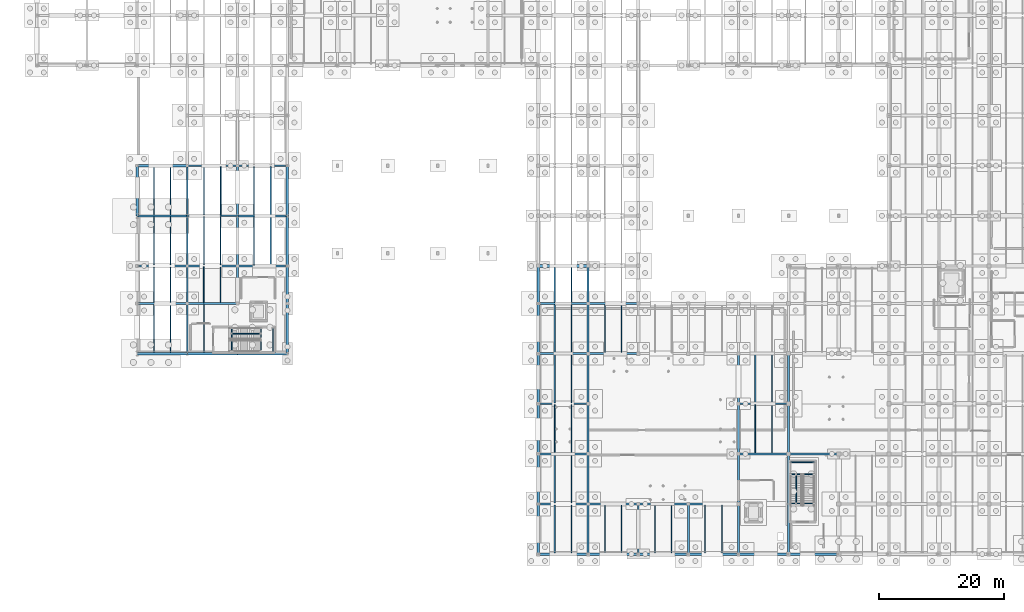
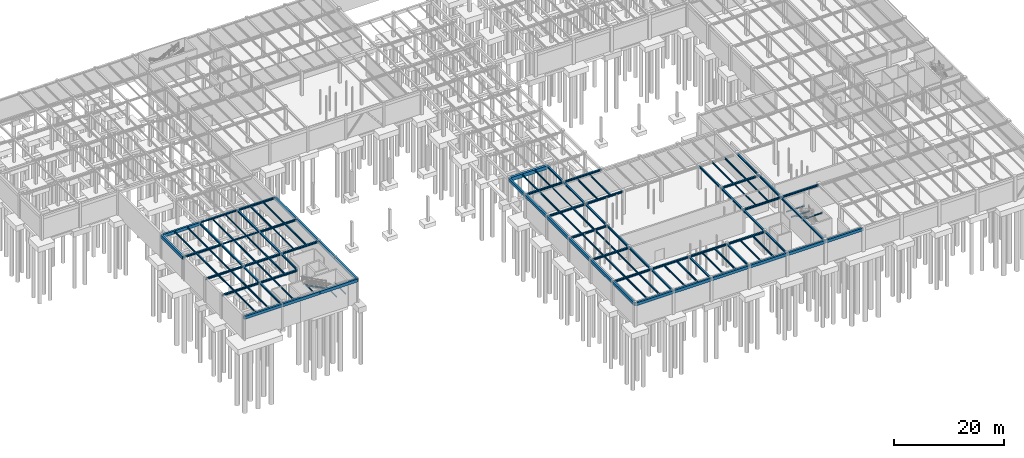
# One storey, part 24 of 71: 117 beams, 2 members.
"""IFC4 building model written with IfcOpenShell, lengths in metres."""

from ifc_helpers import new_model, si_unit, direction, frame, origin, origin_2d, place, context, subcontext, project, spatial, rectangle, hollow_rectangle, i_section, extrude, material, material_profile, profile_set, type_object, element, save


model = new_model("IFC4")

# Units and contexts
model_context = context("Model", 3, precision=1e-05, world=origin(), true_north=direction((0.0, 1.0)))
body_context = subcontext(model_context, "Body", "Model", "MODEL_VIEW")
ifc_project = project(units=[si_unit("LENGTHUNIT", "METRE"), si_unit("AREAUNIT", "SQUARE_METRE"), si_unit("VOLUMEUNIT", "CUBIC_METRE"), si_unit("PLANEANGLEUNIT", "RADIAN"), si_unit("MASSUNIT", "GRAM", prefix="KILO")], contexts=[model_context])

# Site, building, storey
site_placement = place(None, origin())
site = spatial("IfcSite", under=ifc_project, at=site_placement, CompositionType="ELEMENT")
building_placement = place(site_placement, origin())
building = spatial("IfcBuilding", under=site, at=building_placement, Name="Sundkrona Museum", CompositionType="ELEMENT")
storey_placement = place(building_placement, frame((0.0, 0.0, -5.39990234375)))
storey = spatial("IfcBuildingStorey", under=building, at=storey_placement, Name="B1", CompositionType="ELEMENT", Elevation=-5.39990234375)

# Beams
ifc_material_1 = material(Name="Steel S355J2", Category="steel")
ifc_material_profile_1 = material_profile(ifc_material_1, i_section(OverallWidth=0.300048828125, OverallDepth=0.2900390625, WebThickness=0.008544921875, FlangeThickness=0.013916015625, FilletRadius=0.027099609375, at=origin_2d()), Name="HEA 300")
ifc_profile_set_1 = profile_set([ifc_material_profile_1], Name="Steel S355J2")
beam_type_1 = type_object("IfcBeamType", Name="B-HEA300", PredefinedType="BEAM", material=ifc_profile_set_1)
beam_1_placement = place(storey_placement, frame((24.0, 62.0, 4.994873046875), z_axis=(1.0, 0.0, 0.0), x_axis=(0.0, 1.0, 0.0)))
element("IfcBeam", 1, at=beam_1_placement, inside=storey, type_object=beam_type_1, Name="B1 Girder X-0081", PredefinedType="BEAM", context=body_context, shape_type="SweptSolid", body=[
    extrude(i_section(OverallWidth=0.300048828125, OverallDepth=0.2900390625, WebThickness=0.008544921875, FlangeThickness=0.013916015625, FilletRadius=0.027099609375, at=origin_2d()), origin(), (0.0, 0.0, 1.0), 8.0),
])
ifc_material_profile_2 = material_profile(ifc_material_1, i_section(OverallWidth=0.300048828125, OverallDepth=0.39990234375, WebThickness=0.013427734375, FlangeThickness=0.02392578125, FilletRadius=0.027099609375, at=origin_2d()), Name="HEB 400")
ifc_profile_set_2 = profile_set([ifc_material_profile_2], Name="Steel S355J2")
beam_type_2 = type_object("IfcBeamType", Name="B-HEB400", PredefinedType="BEAM", material=ifc_profile_set_2)
for number, where, z_axis, x_axis, name in (
    (2, (80.0, 8.0, 4.93994140625), (1.0, 0.0, 0.0), (0.0, 1.0, 0.0), "B1 Girder X-0012"),
    (3, (88.0, 8.0, 4.93994140625), (1.0, 0.0, 0.0), (0.0, 1.0, 0.0), "B1 Girder X-0013"),
    (4, (96.0, 8.0, 4.93994140625), (1.0, 0.0, 0.0), (0.0, 1.0, 0.0), "B1 Girder X-0014"),
    (5, (104.0, 8.0, 4.93994140625), (1.0, 0.0, 0.0), (0.0, 1.0, 0.0), "B1 Girder X-0015"),
    (6, (80.0, 16.0, 4.93994140625), (1.0, 0.0, 0.0), (0.0, 1.0, 0.0), "B1 Girder X-0021"),
    (7, (112.0, 16.0, 4.919921875), (1.0, 0.0, 0.0), (0.0, 1.0, 0.0), "B1 Girder X-0022"),
    (8, (120.0, 16.0, 4.919921875), (1.0, 0.0, 0.0), (0.0, 1.0, 0.0), "B1 Girder X-0023"),
    (9, (80.0, 24.0, 4.93994140625), (1.0, 0.0, 0.0), (0.0, 1.0, 0.0), "B1 Girder X-0029"),
    (10, (112.0, 24.0, 4.919921875), (1.0, 0.0, 0.0), (0.0, 1.0, 0.0), "B1 Girder X-0030"),
    (11, (80.0, 32.0, 4.93994140625), (1.0, 0.0, 0.0), (0.0, 1.0, 0.0), "B1 Girder X-0038"),
    (12, (88.0, 32.0, 4.93994140625), (1.0, 0.0, 0.0), (0.0, 1.0, 0.0), "B1 Girder X-0039"),
    (13, (16.0, 40.0, 4.93994140625), (1.0, 0.0, 0.0), (0.0, 1.0, 0.0), "B1 Girder X-0049"),
    (14, (24.0, 40.0, 4.93994140625), (1.0, 0.0, 0.0), (0.0, 1.0, 0.0), "B1 Girder X-0050"),
    (15, (80.0, 40.0, 4.93994140625), (1.0, 0.0, 0.0), (0.0, 1.0, 0.0), "B1 Girder X-0051"),
    (16, (88.0, 40.0, 4.93994140625), (1.0, 0.0, 0.0), (0.0, 1.0, 0.0), "B1 Girder X-0052"),
    (17, (16.0, 46.0, 4.93994140625), (1.0, 0.0, 0.0), (0.0, 1.0, 0.0), "B1 Girder X-0060"),
    (18, (24.0, 46.0, 4.93994140625), (1.0, 0.0, 0.0), (0.0, 1.0, 0.0), "B1 Girder X-0061"),
    (19, (32.0, 46.0, 4.9599609375), (1.0, 0.0, 0.0), (0.0, 1.0, 0.0), "B1 Girder X-0062"),
    (20, (16.0, 54.0, 4.93994140625), (1.0, 0.0, 0.0), (0.0, 1.0, 0.0), "B1 Girder X-0071"),
    (21, (32.0, 54.0, 4.9599609375), (1.0, 0.0, 0.0), (0.0, 1.0, 0.0), "B1 Girder X-0073"),
    (22, (32.0, 62.0, 4.9599609375), (1.0, 0.0, 0.0), (0.0, 1.0, 0.0), "B1 Girder X-0082"),
    (23, (24.0, 32.0, 4.93994140625), (0.0, 1.0, 0.0), (-1.0, 0.0, 0.0), "B1 Girder Y-0227"),
):
    element("IfcBeam", number, at=place(storey_placement, frame(where, z_axis=z_axis, x_axis=x_axis)), inside=storey, type_object=beam_type_2, Name=name, PredefinedType="BEAM", context=body_context, shape_type="SweptSolid", body=[
        extrude(i_section(OverallWidth=0.300048828125, OverallDepth=0.39990234375, WebThickness=0.013427734375, FlangeThickness=0.02392578125, FilletRadius=0.027099609375, at=origin_2d()), origin(), (0.0, 0.0, 1.0), 8.0),
    ])
beam_2_placement = place(storey_placement, frame((24.0, 40.0, 4.93994140625), z_axis=(0.0, 1.0, 0.0), x_axis=(-1.0, 0.0, 0.0)))
element("IfcBeam", 24, at=beam_2_placement, inside=storey, type_object=beam_type_2, Name="B1 Girder Y-0228", PredefinedType="BEAM", context=body_context, shape_type="SweptSolid", body=[
    extrude(i_section(OverallWidth=0.300048828125, OverallDepth=0.39990234375, WebThickness=0.013427734375, FlangeThickness=0.02392578125, FilletRadius=0.027099609375, at=origin_2d()), origin(), (0.0, 0.0, 1.0), 6.0),
])
for number, where, z_axis, x_axis, name in (
    (25, (24.0, 46.0, 4.93994140625), (0.0, 1.0, 0.0), (-1.0, 0.0, 0.0), "B1 Girder Y-0229"),
    (26, (24.0, 54.0, 4.93994140625), (0.0, 1.0, 0.0), (-1.0, 0.0, 0.0), "B1 Girder Y-0230"),
):
    element("IfcBeam", number, at=place(storey_placement, frame(where, z_axis=z_axis, x_axis=x_axis)), inside=storey, type_object=beam_type_2, Name=name, PredefinedType="BEAM", context=body_context, shape_type="SweptSolid", body=[
        extrude(i_section(OverallWidth=0.300048828125, OverallDepth=0.39990234375, WebThickness=0.013427734375, FlangeThickness=0.02392578125, FilletRadius=0.027099609375, at=origin_2d()), origin(), (0.0, 0.0, 1.0), 8.0),
    ])
beam_3_placement = place(storey_placement, frame((32.0, 40.0, 4.9599609375), z_axis=(0.0, 1.0, 0.0), x_axis=(-1.0, 0.0, 0.0)))
element("IfcBeam", 27, at=beam_3_placement, inside=storey, type_object=beam_type_2, Name="B1 Girder Y-0238", PredefinedType="BEAM", context=body_context, shape_type="SweptSolid", body=[
    extrude(i_section(OverallWidth=0.300048828125, OverallDepth=0.39990234375, WebThickness=0.013427734375, FlangeThickness=0.02392578125, FilletRadius=0.027099609375, at=origin_2d()), origin(), (0.0, 0.0, 1.0), 6.0),
])
for number, where, z_axis, x_axis, name in (
    (28, (32.0, 46.0, 4.9599609375), (0.0, 1.0, 0.0), (-1.0, 0.0, 0.0), "B1 Girder Y-0239"),
    (29, (32.0, 54.0, 4.9599609375), (0.0, 1.0, 0.0), (-1.0, 0.0, 0.0), "B1 Girder Y-0240"),
    (30, (88.0, 0.0, 4.93994140625), (0.0, 1.0, 0.0), (-1.0, 0.0, 0.0), "B1 Girder Y-0291"),
    (31, (88.0, 8.0, 4.93994140625), (0.0, 1.0, 0.0), (-1.0, 0.0, 0.0), "B1 Girder Y-0292"),
    (32, (88.0, 16.0, 4.93994140625), (0.0, 1.0, 0.0), (-1.0, 0.0, 0.0), "B1 Girder Y-0293"),
    (33, (88.0, 24.0, 4.93994140625), (0.0, 1.0, 0.0), (-1.0, 0.0, 0.0), "B1 Girder Y-0294"),
    (34, (88.0, 32.0, 4.93994140625), (0.0, 1.0, 0.0), (-1.0, 0.0, 0.0), "B1 Girder Y-0295"),
):
    element("IfcBeam", number, at=place(storey_placement, frame(where, z_axis=z_axis, x_axis=x_axis)), inside=storey, type_object=beam_type_2, Name=name, PredefinedType="BEAM", context=body_context, shape_type="SweptSolid", body=[
        extrude(i_section(OverallWidth=0.300048828125, OverallDepth=0.39990234375, WebThickness=0.013427734375, FlangeThickness=0.02392578125, FilletRadius=0.027099609375, at=origin_2d()), origin(), (0.0, 0.0, 1.0), 8.0),
    ])
beam_4_placement = place(storey_placement, frame((88.0, 40.0, 4.93994140625), z_axis=(0.0, 1.0, 0.0), x_axis=(-1.0, 0.0, 0.0)))
element("IfcBeam", 35, at=beam_4_placement, inside=storey, type_object=beam_type_2, Name="B1 Girder Y-0296", PredefinedType="BEAM", context=body_context, shape_type="SweptSolid", body=[
    extrude(i_section(OverallWidth=0.300048828125, OverallDepth=0.39990234375, WebThickness=0.013427734375, FlangeThickness=0.02392578125, FilletRadius=0.027099609375, at=origin_2d()), origin(), (0.0, 0.0, 1.0), 6.0),
])
for number, where, z_axis, x_axis, name in (
    (36, (96.0, 0.0, 4.93994140625), (0.0, 1.0, 0.0), (-1.0, 0.0, 0.0), "B1 Girder Y-0304"),
    (37, (104.0, 0.0, 4.93994140625), (0.0, 1.0, 0.0), (-1.0, 0.0, 0.0), "B1 Girder Y-0314"),
    (38, (112.0, 0.0, 4.93994140625), (0.0, 1.0, 0.0), (-1.0, 0.0, 0.0), "B1 Girder Y-0321"),
    (39, (112.0, 8.0, 4.93994140625), (0.0, 1.0, 0.0), (-1.0, 0.0, 0.0), "B1 Girder Y-0322"),
    (40, (112.0, 16.0, 4.93994140625), (0.0, 1.0, 0.0), (-1.0, 0.0, 0.0), "B1 Girder Y-0323"),
    (41, (112.0, 24.0, 4.93994140625), (0.0, 1.0, 0.0), (-1.0, 0.0, 0.0), "B1 Girder Y-0324"),
    (42, (120.0, 0.0, 4.919921875), (0.0, 1.0, 0.0), (-1.0, 0.0, 0.0), "B1 Girder Y-0331"),
    (43, (120.0, 8.0, 4.919921875), (0.0, 1.0, 0.0), (-1.0, 0.0, 0.0), "B1 Girder Y-0332"),
    (44, (120.0, 16.0, 4.919921875), (0.0, 1.0, 0.0), (-1.0, 0.0, 0.0), "B1 Girder Y-0333"),
    (45, (120.0, 24.0, 4.919921875), (0.0, 1.0, 0.0), (-1.0, 0.0, 0.0), "B1 Girder Y-0334"),
):
    element("IfcBeam", number, at=place(storey_placement, frame(where, z_axis=z_axis, x_axis=x_axis)), inside=storey, type_object=beam_type_2, Name=name, PredefinedType="BEAM", context=body_context, shape_type="SweptSolid", body=[
        extrude(i_section(OverallWidth=0.300048828125, OverallDepth=0.39990234375, WebThickness=0.013427734375, FlangeThickness=0.02392578125, FilletRadius=0.027099609375, at=origin_2d()), origin(), (0.0, 0.0, 1.0), 8.0),
    ])
ifc_material_2 = material(Name="Concrete C40/50", Category="concrete")
ifc_material_profile_3 = material_profile(ifc_material_2, rectangle(XDim=0.39990234375, YDim=0.64990234375, at=origin_2d()), Name="RCB 400x650")
ifc_profile_set_3 = profile_set([ifc_material_profile_3], Name="Concrete C40/50")
beam_type_3 = type_object("IfcBeamType", Name="B-RC400", PredefinedType="BEAM", material=ifc_profile_set_3)
for number, where, z_axis, x_axis, name in (
    (46, (80.0, 0.0, 4.81494140625), (1.0, 0.0, 0.0), (0.0, 1.0, 0.0), "B1 Girder X-0001"),
    (47, (88.0, 0.0, 4.81494140625), (1.0, 0.0, 0.0), (0.0, 1.0, 0.0), "B1 Girder X-0002"),
    (48, (96.0, 0.0, 4.81494140625), (1.0, 0.0, 0.0), (0.0, 1.0, 0.0), "B1 Girder X-0003"),
    (49, (104.0, 0.0, 4.81494140625), (1.0, 0.0, 0.0), (0.0, 1.0, 0.0), "B1 Girder X-0004"),
    (50, (112.0, 0.0, 4.794921875), (1.0, 0.0, 0.0), (0.0, 1.0, 0.0), "B1 Girder X-0005"),
    (51, (120.0, 0.0, 4.794921875), (1.0, 0.0, 0.0), (0.0, 1.0, 0.0), "B1 Girder X-0006"),
    (52, (16.0, 32.0, 4.81494140625), (1.0, 0.0, 0.0), (0.0, 1.0, 0.0), "B1 Girder X-0035"),
    (53, (24.0, 32.0, 4.81494140625), (1.0, 0.0, 0.0), (0.0, 1.0, 0.0), "B1 Girder X-0036"),
    (54, (32.0, 32.0, 4.8349609375), (1.0, 0.0, 0.0), (0.0, 1.0, 0.0), "B1 Girder X-0037"),
    (55, (16.0, 62.0, 4.81494140625), (1.0, 0.0, 0.0), (0.0, 1.0, 0.0), "B1 Girder X-0080"),
    (56, (16.0, 54.0, 4.81494140625), (0.0, 1.0, 0.0), (-1.0, 0.0, 0.0), "B1 Girder Y-0221"),
    (57, (40.0, 32.0, 4.8349609375), (0.0, 1.0, 0.0), (-1.0, 0.0, 0.0), "B1 Girder Y-0248"),
):
    element("IfcBeam", number, at=place(storey_placement, frame(where, z_axis=z_axis, x_axis=x_axis)), inside=storey, type_object=beam_type_3, Name=name, PredefinedType="BEAM", context=body_context, shape_type="SweptSolid", body=[
        extrude(rectangle(XDim=0.39990234375, YDim=0.64990234375, at=origin_2d()), origin(), (0.0, 0.0, 1.0), 8.0),
    ])
beam_5_placement = place(storey_placement, frame((40.0, 40.0, 4.8349609375), z_axis=(0.0, 1.0, 0.0), x_axis=(-1.0, 0.0, 0.0)))
element("IfcBeam", 58, at=beam_5_placement, inside=storey, type_object=beam_type_3, Name="B1 Girder Y-0249", PredefinedType="BEAM", context=body_context, shape_type="SweptSolid", body=[
    extrude(rectangle(XDim=0.39990234375, YDim=0.64990234375, at=origin_2d()), origin(), (0.0, 0.0, 1.0), 6.0),
])
for number, where, z_axis, x_axis, name in (
    (59, (40.0, 46.0, 4.8349609375), (0.0, 1.0, 0.0), (-1.0, 0.0, 0.0), "B1 Girder Y-0250"),
    (60, (40.0, 54.0, 4.8349609375), (0.0, 1.0, 0.0), (-1.0, 0.0, 0.0), "B1 Girder Y-0251"),
    (61, (80.0, 0.0, 4.81494140625), (0.0, 1.0, 0.0), (-1.0, 0.0, 0.0), "B1 Girder Y-0276"),
    (62, (80.0, 8.0, 4.81494140625), (0.0, 1.0, 0.0), (-1.0, 0.0, 0.0), "B1 Girder Y-0277"),
    (63, (80.0, 16.0, 4.81494140625), (0.0, 1.0, 0.0), (-1.0, 0.0, 0.0), "B1 Girder Y-0278"),
    (64, (80.0, 24.0, 4.81494140625), (0.0, 1.0, 0.0), (-1.0, 0.0, 0.0), "B1 Girder Y-0279"),
    (65, (80.0, 32.0, 4.81494140625), (0.0, 1.0, 0.0), (-1.0, 0.0, 0.0), "B1 Girder Y-0280"),
):
    element("IfcBeam", number, at=place(storey_placement, frame(where, z_axis=z_axis, x_axis=x_axis)), inside=storey, type_object=beam_type_3, Name=name, PredefinedType="BEAM", context=body_context, shape_type="SweptSolid", body=[
        extrude(rectangle(XDim=0.39990234375, YDim=0.64990234375, at=origin_2d()), origin(), (0.0, 0.0, 1.0), 8.0),
    ])
beam_6_placement = place(storey_placement, frame((80.0, 40.0, 4.81494140625), z_axis=(0.0, 1.0, 0.0), x_axis=(-1.0, 0.0, 0.0)))
element("IfcBeam", 66, at=beam_6_placement, inside=storey, type_object=beam_type_3, Name="B1 Girder Y-0281", PredefinedType="BEAM", context=body_context, shape_type="SweptSolid", body=[
    extrude(rectangle(XDim=0.39990234375, YDim=0.64990234375, at=origin_2d()), origin(), (0.0, 0.0, 1.0), 6.0),
])
ifc_material_profile_4 = material_profile(ifc_material_2, rectangle(XDim=0.5, YDim=0.800048828125, at=origin_2d()), Name="RCB 500x800")
ifc_profile_set_4 = profile_set([ifc_material_profile_4], Name="Concrete C40/50")
beam_type_4 = type_object("IfcBeamType", Name="B-RC500", PredefinedType="BEAM", material=ifc_profile_set_4)
beam_7_placement = place(storey_placement, frame((80.0, 46.0, 4.739990234375), z_axis=(1.0, 0.0, 0.0), x_axis=(0.0, 1.0, 0.0)))
element("IfcBeam", 67, at=beam_7_placement, inside=storey, type_object=beam_type_4, Name="B1 Girder X-0063", PredefinedType="BEAM", context=body_context, shape_type="SweptSolid", body=[
    extrude(rectangle(XDim=0.5, YDim=0.800048828125, at=origin_2d()), origin(), (0.0, 0.0, 1.0), 8.0),
])
ifc_material_3 = material(Name="Steel S460M", Category="steel")
ifc_material_profile_5 = material_profile(ifc_material_3, hollow_rectangle(XDim=0.25, YDim=0.25, WallThickness=0.012451171875, at=origin_2d()), Name="SHS 250x250x12.5")
ifc_profile_set_5 = profile_set([ifc_material_profile_5], Name="Steel S460M")
beam_type_5 = type_object("IfcBeamType", Name="B-SHS250", PredefinedType="BEAM", material=ifc_profile_set_5)
beam_8_placement = place(storey_placement, frame((24.0, 54.0, 5.014892578125), z_axis=(1.0, 0.0, 0.0), x_axis=(0.0, 1.0, 0.0)))
element("IfcBeam", 68, at=beam_8_placement, inside=storey, type_object=beam_type_5, Name="B1 Girder X-0072", PredefinedType="BEAM", context=body_context, shape_type="SweptSolid", body=[
    extrude(hollow_rectangle(XDim=0.25, YDim=0.25, WallThickness=0.012451171875, at=origin_2d()), origin(), (0.0, 0.0, 1.0), 8.0),
])

# Members
ifc_material_profile_6 = material_profile(ifc_material_1, i_section(OverallWidth=0.135009765625, OverallDepth=0.27001953125, WebThickness=0.006591796875, FlangeThickness=0.01025390625, FilletRadius=0.014892578125, at=origin_2d()), Name="IPE 270")
ifc_profile_set_6 = profile_set([ifc_material_profile_6], Name="Steel S355J2")
member_type = type_object("IfcMemberType", Name="BR-IPE270", PredefinedType="BRACE", material=ifc_profile_set_6)
for number, where, z_axis, x_axis, name in (
    (69, (121.199951171875, 12.715087890625, 2.3798828125), (0.0, -0.884492571905, 0.466554273632), (1.0, 0.0, 0.0), "SRK-1 B1 ST-2 Flight 2 Inclined Carriage Raker"),
    (70, (35.715087890625, 35.199951171875, 2.3798828125), (-0.884492571905, 0.0, 0.466554273632), (0.0, -1.0, 0.0), "SRK-1 B1 ST-4 Flight 2 Inclined Carriage Raker"),
):
    element("IfcMember", number, at=place(storey_placement, frame(where, z_axis=z_axis, x_axis=x_axis)), inside=storey, type_object=member_type, Name=name, PredefinedType="BRACE", context=body_context, shape_type="SweptSolid", body=[
        extrude(i_section(OverallWidth=0.135009765625, OverallDepth=0.27001953125, WebThickness=0.006591796875, FlangeThickness=0.01025390625, FilletRadius=0.014892578125, at=origin_2d()), origin(), (0.0, 0.0, 1.0), 5.2177734375),
    ])

# Beams
ifc_material_profile_7 = material_profile(ifc_material_1, i_section(OverallWidth=0.10009765625, OverallDepth=0.199951171875, WebThickness=0.005615234375, FlangeThickness=0.008544921875, FilletRadius=0.011962890625, at=origin_2d()), Name="IPE 200")
ifc_profile_set_7 = profile_set([ifc_material_profile_7], Name="Steel S355J2")
beam_type_6 = type_object("IfcBeamType", Name="J-IPE200", PredefinedType="JOIST", material=ifc_profile_set_7)
for number, where, z_axis, x_axis, name in (
    (71, (34.666748046875, 46.14404296875, 5.059814453125), (0.0, 1.0, 0.0), (-1.0, 0.0, 0.0), "B1 Composite Joist 0040"),
    (72, (114.666748046875, 16.14404296875, 5.02001953125), (0.0, 1.0, 0.0), (-1.0, 0.0, 0.0), "B1 Composite Joist 0160"),
):
    element("IfcBeam", number, at=place(storey_placement, frame(where, z_axis=z_axis, x_axis=x_axis)), inside=storey, type_object=beam_type_6, Name=name, PredefinedType="JOIST", context=body_context, shape_type="SweptSolid", body=[
        extrude(i_section(OverallWidth=0.10009765625, OverallDepth=0.199951171875, WebThickness=0.005615234375, FlangeThickness=0.008544921875, FilletRadius=0.011962890625, at=origin_2d()), origin(), (0.0, 0.0, 1.0), 7.7119140625),
    ])
for number, where, z_axis, x_axis, name in (
    (73, (120.31005859375, 12.754638671875, 2.3798828125), (1.0, 0.0, 0.0), (0.0, 1.0, 0.0), "B1 ST-2 Mid-Landing Trimmer Beam 1A"),
    (74, (120.31005859375, 14.660400390625, 2.3798828125), (1.0, 0.0, 0.0), (0.0, 1.0, 0.0), "B1 ST-2 Mid-Landing Trimmer Beam 1B"),
    (75, (120.31005859375, 8.10009765625, 4.814208984375), (1.0, 0.0, 0.0), (0.0, 1.0, 0.0), "B1 ST-2 Flight 2 Arrival Header Beam"),
    (76, (35.754638671875, 32.31005859375, 2.3798828125), (0.0, 1.0, 0.0), (-1.0, 0.0, 0.0), "B1 ST-4 Mid-Landing Trimmer Beam 1A"),
    (77, (37.660400390625, 32.31005859375, 2.3798828125), (0.0, 1.0, 0.0), (-1.0, 0.0, 0.0), "B1 ST-4 Mid-Landing Trimmer Beam 1B"),
    (78, (31.10009765625, 32.31005859375, 4.814208984375), (0.0, 1.0, 0.0), (-1.0, 0.0, 0.0), "B1 ST-4 Flight 2 Arrival Header Beam"),
):
    element("IfcBeam", number, at=place(storey_placement, frame(where, z_axis=z_axis, x_axis=x_axis)), inside=storey, type_object=beam_type_6, Name=name, PredefinedType="JOIST", context=body_context, shape_type="SweptSolid", body=[
        extrude(i_section(OverallWidth=0.10009765625, OverallDepth=0.199951171875, WebThickness=0.005615234375, FlangeThickness=0.008544921875, FilletRadius=0.011962890625, at=origin_2d()), origin(), (0.0, 0.0, 1.0), 3.780029296875),
    ])
ifc_material_profile_8 = material_profile(ifc_material_1, i_section(OverallWidth=0.1201171875, OverallDepth=0.239990234375, WebThickness=0.006103515625, FlangeThickness=0.009765625, FilletRadius=0.014892578125, at=origin_2d()), Name="IPE 240")
ifc_profile_set_8 = profile_set([ifc_material_profile_8], Name="Steel S355J2")
beam_type_7 = type_object("IfcBeamType", Name="J-IPE240", PredefinedType="JOIST", material=ifc_profile_set_8)
beam_9_placement = place(storey_placement, frame((29.333251953125, 54.118896484375, 5.02001953125), z_axis=(0.0, 1.0, 0.0), x_axis=(-1.0, 0.0, 0.0)))
element("IfcBeam", 79, at=beam_9_placement, inside=storey, type_object=beam_type_7, Name="B1 Composite Joist 0025", PredefinedType="JOIST", context=body_context, shape_type="SweptSolid", body=[
    extrude(i_section(OverallWidth=0.1201171875, OverallDepth=0.239990234375, WebThickness=0.006103515625, FlangeThickness=0.009765625, FilletRadius=0.014892578125, at=origin_2d()), origin(), (0.0, 0.0, 1.0), 7.737060546875),
])
beam_10_placement = place(storey_placement, frame((85.333251953125, 32.14404296875, 5.02001953125), z_axis=(0.0, 1.0, 0.0), x_axis=(-1.0, 0.0, 0.0)))
element("IfcBeam", 80, at=beam_10_placement, inside=storey, type_object=beam_type_7, Name="B1 Composite Joist 0105", PredefinedType="JOIST", context=body_context, shape_type="SweptSolid", body=[
    extrude(i_section(OverallWidth=0.1201171875, OverallDepth=0.239990234375, WebThickness=0.006103515625, FlangeThickness=0.009765625, FilletRadius=0.014892578125, at=origin_2d()), origin(), (0.0, 0.0, 1.0), 7.7119140625),
])
ifc_material_profile_9 = material_profile(ifc_material_1, i_section(OverallWidth=0.159912109375, OverallDepth=0.330078125, WebThickness=0.007568359375, FlangeThickness=0.011474609375, FilletRadius=0.01806640625, at=origin_2d()), Name="IPE 330")
ifc_profile_set_9 = profile_set([ifc_material_profile_9], Name="Steel S355J2")
beam_type_8 = type_object("IfcBeamType", Name="J-IPE330", PredefinedType="JOIST", material=ifc_profile_set_9)
beam_11_placement = place(storey_placement, frame((26.666748046875, 40.14404296875, 4.974853515625), z_axis=(0.0, 1.0, 0.0), x_axis=(-1.0, 0.0, 0.0)))
element("IfcBeam", 81, at=beam_11_placement, inside=storey, type_object=beam_type_8, Name="B1 Composite Joist 0020", PredefinedType="JOIST", context=body_context, shape_type="SweptSolid", body=[
    extrude(i_section(OverallWidth=0.159912109375, OverallDepth=0.330078125, WebThickness=0.007568359375, FlangeThickness=0.011474609375, FilletRadius=0.01806640625, at=origin_2d()), origin(), (0.0, 0.0, 1.0), 5.7119140625),
])
beam_12_placement = place(storey_placement, frame((82.666748046875, 16.14404296875, 4.974853515625), z_axis=(0.0, 1.0, 0.0), x_axis=(-1.0, 0.0, 0.0)))
element("IfcBeam", 82, at=beam_12_placement, inside=storey, type_object=beam_type_8, Name="B1 Composite Joist 0100", PredefinedType="JOIST", context=body_context, shape_type="SweptSolid", body=[
    extrude(i_section(OverallWidth=0.159912109375, OverallDepth=0.330078125, WebThickness=0.007568359375, FlangeThickness=0.011474609375, FilletRadius=0.01806640625, at=origin_2d()), origin(), (0.0, 0.0, 1.0), 7.7119140625),
])
ifc_material_profile_10 = material_profile(ifc_material_1, i_section(OverallWidth=0.169921875, OverallDepth=0.360107421875, WebThickness=0.008056640625, FlangeThickness=0.0126953125, FilletRadius=0.01806640625, at=origin_2d()), Name="IPE 360")
ifc_profile_set_10 = profile_set([ifc_material_profile_10], Name="Steel S355J2")
beam_type_9 = type_object("IfcBeamType", Name="J-IPE360", PredefinedType="JOIST", material=ifc_profile_set_10)
for number, where, z_axis, x_axis, name in (
    (83, (18.666748046875, 32.194091796875, 4.9599609375), (0.0, 1.0, 0.0), (-1.0, 0.0, 0.0), "B1 Composite Joist 0001"),
    (84, (21.333251953125, 32.194091796875, 4.9599609375), (0.0, 1.0, 0.0), (-1.0, 0.0, 0.0), "B1 Composite Joist 0002"),
):
    element("IfcBeam", number, at=place(storey_placement, frame(where, z_axis=z_axis, x_axis=x_axis)), inside=storey, type_object=beam_type_9, Name=name, PredefinedType="JOIST", context=body_context, shape_type="SweptSolid", body=[
        extrude(i_section(OverallWidth=0.169921875, OverallDepth=0.360107421875, WebThickness=0.008056640625, FlangeThickness=0.0126953125, FilletRadius=0.01806640625, at=origin_2d()), origin(), (0.0, 0.0, 1.0), 7.661865234375),
    ])
for number, where, z_axis, x_axis, name in (
    (85, (18.666748046875, 40.14404296875, 4.9599609375), (0.0, 1.0, 0.0), (-1.0, 0.0, 0.0), "B1 Composite Joist 0003"),
    (86, (21.333251953125, 40.14404296875, 4.9599609375), (0.0, 1.0, 0.0), (-1.0, 0.0, 0.0), "B1 Composite Joist 0004"),
):
    element("IfcBeam", number, at=place(storey_placement, frame(where, z_axis=z_axis, x_axis=x_axis)), inside=storey, type_object=beam_type_9, Name=name, PredefinedType="JOIST", context=body_context, shape_type="SweptSolid", body=[
        extrude(i_section(OverallWidth=0.169921875, OverallDepth=0.360107421875, WebThickness=0.008056640625, FlangeThickness=0.0126953125, FilletRadius=0.01806640625, at=origin_2d()), origin(), (0.0, 0.0, 1.0), 5.7119140625),
    ])
for number, where, z_axis, x_axis, name in (
    (87, (18.666748046875, 46.14404296875, 4.9599609375), (0.0, 1.0, 0.0), (-1.0, 0.0, 0.0), "B1 Composite Joist 0005"),
    (88, (21.333251953125, 46.14404296875, 4.9599609375), (0.0, 1.0, 0.0), (-1.0, 0.0, 0.0), "B1 Composite Joist 0006"),
):
    element("IfcBeam", number, at=place(storey_placement, frame(where, z_axis=z_axis, x_axis=x_axis)), inside=storey, type_object=beam_type_9, Name=name, PredefinedType="JOIST", context=body_context, shape_type="SweptSolid", body=[
        extrude(i_section(OverallWidth=0.169921875, OverallDepth=0.360107421875, WebThickness=0.008056640625, FlangeThickness=0.0126953125, FilletRadius=0.01806640625, at=origin_2d()), origin(), (0.0, 0.0, 1.0), 7.7119140625),
    ])
for number, where, z_axis, x_axis, name in (
    (89, (18.666748046875, 54.14404296875, 4.9599609375), (0.0, 1.0, 0.0), (-1.0, 0.0, 0.0), "B1 Composite Joist 0007"),
    (90, (21.333251953125, 54.14404296875, 4.9599609375), (0.0, 1.0, 0.0), (-1.0, 0.0, 0.0), "B1 Composite Joist 0008"),
    (91, (26.666748046875, 32.194091796875, 4.9599609375), (0.0, 1.0, 0.0), (-1.0, 0.0, 0.0), "B1 Composite Joist 0019"),
):
    element("IfcBeam", number, at=place(storey_placement, frame(where, z_axis=z_axis, x_axis=x_axis)), inside=storey, type_object=beam_type_9, Name=name, PredefinedType="JOIST", context=body_context, shape_type="SweptSolid", body=[
        extrude(i_section(OverallWidth=0.169921875, OverallDepth=0.360107421875, WebThickness=0.008056640625, FlangeThickness=0.0126953125, FilletRadius=0.01806640625, at=origin_2d()), origin(), (0.0, 0.0, 1.0), 7.661865234375),
    ])
beam_13_placement = place(storey_placement, frame((29.333251953125, 40.14404296875, 4.9599609375), z_axis=(0.0, 1.0, 0.0), x_axis=(-1.0, 0.0, 0.0)))
element("IfcBeam", 92, at=beam_13_placement, inside=storey, type_object=beam_type_9, Name="B1 Composite Joist 0021", PredefinedType="JOIST", context=body_context, shape_type="SweptSolid", body=[
    extrude(i_section(OverallWidth=0.169921875, OverallDepth=0.360107421875, WebThickness=0.008056640625, FlangeThickness=0.0126953125, FilletRadius=0.01806640625, at=origin_2d()), origin(), (0.0, 0.0, 1.0), 5.7119140625),
])
for number, where, z_axis, x_axis, name in (
    (93, (26.666748046875, 46.14404296875, 4.9599609375), (0.0, 1.0, 0.0), (-1.0, 0.0, 0.0), "B1 Composite Joist 0022"),
    (94, (29.333251953125, 46.14404296875, 4.9599609375), (0.0, 1.0, 0.0), (-1.0, 0.0, 0.0), "B1 Composite Joist 0023"),
    (95, (26.666748046875, 54.118896484375, 4.9599609375), (0.0, 1.0, 0.0), (-1.0, 0.0, 0.0), "B1 Composite Joist 0024"),
):
    element("IfcBeam", number, at=place(storey_placement, frame(where, z_axis=z_axis, x_axis=x_axis)), inside=storey, type_object=beam_type_9, Name=name, PredefinedType="JOIST", context=body_context, shape_type="SweptSolid", body=[
        extrude(i_section(OverallWidth=0.169921875, OverallDepth=0.360107421875, WebThickness=0.008056640625, FlangeThickness=0.0126953125, FilletRadius=0.01806640625, at=origin_2d()), origin(), (0.0, 0.0, 1.0), 7.737060546875),
    ])
for number, where, z_axis, x_axis, name in (
    (96, (37.333251953125, 46.14404296875, 4.97998046875), (0.0, 1.0, 0.0), (-1.0, 0.0, 0.0), "B1 Composite Joist 0041"),
    (97, (34.666748046875, 54.14404296875, 4.97998046875), (0.0, 1.0, 0.0), (-1.0, 0.0, 0.0), "B1 Composite Joist 0042"),
    (98, (37.333251953125, 54.14404296875, 4.97998046875), (0.0, 1.0, 0.0), (-1.0, 0.0, 0.0), "B1 Composite Joist 0043"),
):
    element("IfcBeam", number, at=place(storey_placement, frame(where, z_axis=z_axis, x_axis=x_axis)), inside=storey, type_object=beam_type_9, Name=name, PredefinedType="JOIST", context=body_context, shape_type="SweptSolid", body=[
        extrude(i_section(OverallWidth=0.169921875, OverallDepth=0.360107421875, WebThickness=0.008056640625, FlangeThickness=0.0126953125, FilletRadius=0.01806640625, at=origin_2d()), origin(), (0.0, 0.0, 1.0), 7.7119140625),
    ])
for number, where, z_axis, x_axis, name in (
    (99, (82.666748046875, 0.194091796875, 4.9599609375), (0.0, 1.0, 0.0), (-1.0, 0.0, 0.0), "B1 Composite Joist 0096"),
    (100, (85.333251953125, 0.194091796875, 4.9599609375), (0.0, 1.0, 0.0), (-1.0, 0.0, 0.0), "B1 Composite Joist 0097"),
):
    element("IfcBeam", number, at=place(storey_placement, frame(where, z_axis=z_axis, x_axis=x_axis)), inside=storey, type_object=beam_type_9, Name=name, PredefinedType="JOIST", context=body_context, shape_type="SweptSolid", body=[
        extrude(i_section(OverallWidth=0.169921875, OverallDepth=0.360107421875, WebThickness=0.008056640625, FlangeThickness=0.0126953125, FilletRadius=0.01806640625, at=origin_2d()), origin(), (0.0, 0.0, 1.0), 7.661865234375),
    ])
for number, where, z_axis, x_axis, name in (
    (101, (82.666748046875, 8.14404296875, 4.9599609375), (0.0, 1.0, 0.0), (-1.0, 0.0, 0.0), "B1 Composite Joist 0098"),
    (102, (85.333251953125, 8.14404296875, 4.9599609375), (0.0, 1.0, 0.0), (-1.0, 0.0, 0.0), "B1 Composite Joist 0099"),
    (103, (85.333251953125, 16.14404296875, 4.9599609375), (0.0, 1.0, 0.0), (-1.0, 0.0, 0.0), "B1 Composite Joist 0101"),
    (104, (82.666748046875, 24.14404296875, 4.9599609375), (0.0, 1.0, 0.0), (-1.0, 0.0, 0.0), "B1 Composite Joist 0102"),
    (105, (85.333251953125, 24.14404296875, 4.9599609375), (0.0, 1.0, 0.0), (-1.0, 0.0, 0.0), "B1 Composite Joist 0103"),
    (106, (82.666748046875, 32.14404296875, 4.9599609375), (0.0, 1.0, 0.0), (-1.0, 0.0, 0.0), "B1 Composite Joist 0104"),
):
    element("IfcBeam", number, at=place(storey_placement, frame(where, z_axis=z_axis, x_axis=x_axis)), inside=storey, type_object=beam_type_9, Name=name, PredefinedType="JOIST", context=body_context, shape_type="SweptSolid", body=[
        extrude(i_section(OverallWidth=0.169921875, OverallDepth=0.360107421875, WebThickness=0.008056640625, FlangeThickness=0.0126953125, FilletRadius=0.01806640625, at=origin_2d()), origin(), (0.0, 0.0, 1.0), 7.7119140625),
    ])
for number, where, z_axis, x_axis, name in (
    (107, (82.666748046875, 40.14404296875, 4.9599609375), (0.0, 1.0, 0.0), (-1.0, 0.0, 0.0), "B1 Composite Joist 0106"),
    (108, (85.333251953125, 40.14404296875, 4.9599609375), (0.0, 1.0, 0.0), (-1.0, 0.0, 0.0), "B1 Composite Joist 0107"),
):
    element("IfcBeam", number, at=place(storey_placement, frame(where, z_axis=z_axis, x_axis=x_axis)), inside=storey, type_object=beam_type_9, Name=name, PredefinedType="JOIST", context=body_context, shape_type="SweptSolid", body=[
        extrude(i_section(OverallWidth=0.169921875, OverallDepth=0.360107421875, WebThickness=0.008056640625, FlangeThickness=0.0126953125, FilletRadius=0.01806640625, at=origin_2d()), origin(), (0.0, 0.0, 1.0), 5.612060546875),
    ])
for number, where, z_axis, x_axis, name in (
    (109, (90.666748046875, 0.194091796875, 4.9599609375), (0.0, 1.0, 0.0), (-1.0, 0.0, 0.0), "B1 Composite Joist 0122"),
    (110, (93.333251953125, 0.194091796875, 4.9599609375), (0.0, 1.0, 0.0), (-1.0, 0.0, 0.0), "B1 Composite Joist 0123"),
):
    element("IfcBeam", number, at=place(storey_placement, frame(where, z_axis=z_axis, x_axis=x_axis)), inside=storey, type_object=beam_type_9, Name=name, PredefinedType="JOIST", context=body_context, shape_type="SweptSolid", body=[
        extrude(i_section(OverallWidth=0.169921875, OverallDepth=0.360107421875, WebThickness=0.008056640625, FlangeThickness=0.0126953125, FilletRadius=0.01806640625, at=origin_2d()), origin(), (0.0, 0.0, 1.0), 7.661865234375),
    ])
for number, where, z_axis, x_axis, name in (
    (111, (90.666748046875, 32.14404296875, 4.9599609375), (0.0, 1.0, 0.0), (-1.0, 0.0, 0.0), "B1 Composite Joist 0124"),
    (112, (93.333251953125, 32.14404296875, 4.9599609375), (0.0, 1.0, 0.0), (-1.0, 0.0, 0.0), "B1 Composite Joist 0125"),
):
    element("IfcBeam", number, at=place(storey_placement, frame(where, z_axis=z_axis, x_axis=x_axis)), inside=storey, type_object=beam_type_9, Name=name, PredefinedType="JOIST", context=body_context, shape_type="SweptSolid", body=[
        extrude(i_section(OverallWidth=0.169921875, OverallDepth=0.360107421875, WebThickness=0.008056640625, FlangeThickness=0.0126953125, FilletRadius=0.01806640625, at=origin_2d()), origin(), (0.0, 0.0, 1.0), 7.7119140625),
    ])
for number, where, z_axis, x_axis, name in (
    (113, (98.666748046875, 0.194091796875, 4.9599609375), (0.0, 1.0, 0.0), (-1.0, 0.0, 0.0), "B1 Composite Joist 0142"),
    (114, (101.333251953125, 0.194091796875, 4.9599609375), (0.0, 1.0, 0.0), (-1.0, 0.0, 0.0), "B1 Composite Joist 0143"),
    (115, (106.666748046875, 0.194091796875, 4.9599609375), (0.0, 1.0, 0.0), (-1.0, 0.0, 0.0), "B1 Composite Joist 0146"),
    (116, (109.333251953125, 0.194091796875, 4.9599609375), (0.0, 1.0, 0.0), (-1.0, 0.0, 0.0), "B1 Composite Joist 0147"),
):
    element("IfcBeam", number, at=place(storey_placement, frame(where, z_axis=z_axis, x_axis=x_axis)), inside=storey, type_object=beam_type_9, Name=name, PredefinedType="JOIST", context=body_context, shape_type="SweptSolid", body=[
        extrude(i_section(OverallWidth=0.169921875, OverallDepth=0.360107421875, WebThickness=0.008056640625, FlangeThickness=0.0126953125, FilletRadius=0.01806640625, at=origin_2d()), origin(), (0.0, 0.0, 1.0), 7.661865234375),
    ])
for number, where, z_axis, x_axis, name in (
    (117, (117.333251953125, 16.14404296875, 4.93994140625), (0.0, 1.0, 0.0), (-1.0, 0.0, 0.0), "B1 Composite Joist 0161"),
    (118, (114.666748046875, 24.14404296875, 4.93994140625), (0.0, 1.0, 0.0), (-1.0, 0.0, 0.0), "B1 Composite Joist 0162"),
    (119, (117.333251953125, 24.14404296875, 4.93994140625), (0.0, 1.0, 0.0), (-1.0, 0.0, 0.0), "B1 Composite Joist 0163"),
):
    element("IfcBeam", number, at=place(storey_placement, frame(where, z_axis=z_axis, x_axis=x_axis)), inside=storey, type_object=beam_type_9, Name=name, PredefinedType="JOIST", context=body_context, shape_type="SweptSolid", body=[
        extrude(i_section(OverallWidth=0.169921875, OverallDepth=0.360107421875, WebThickness=0.008056640625, FlangeThickness=0.0126953125, FilletRadius=0.01806640625, at=origin_2d()), origin(), (0.0, 0.0, 1.0), 7.7119140625),
    ])

save(model, "model.ifc")
